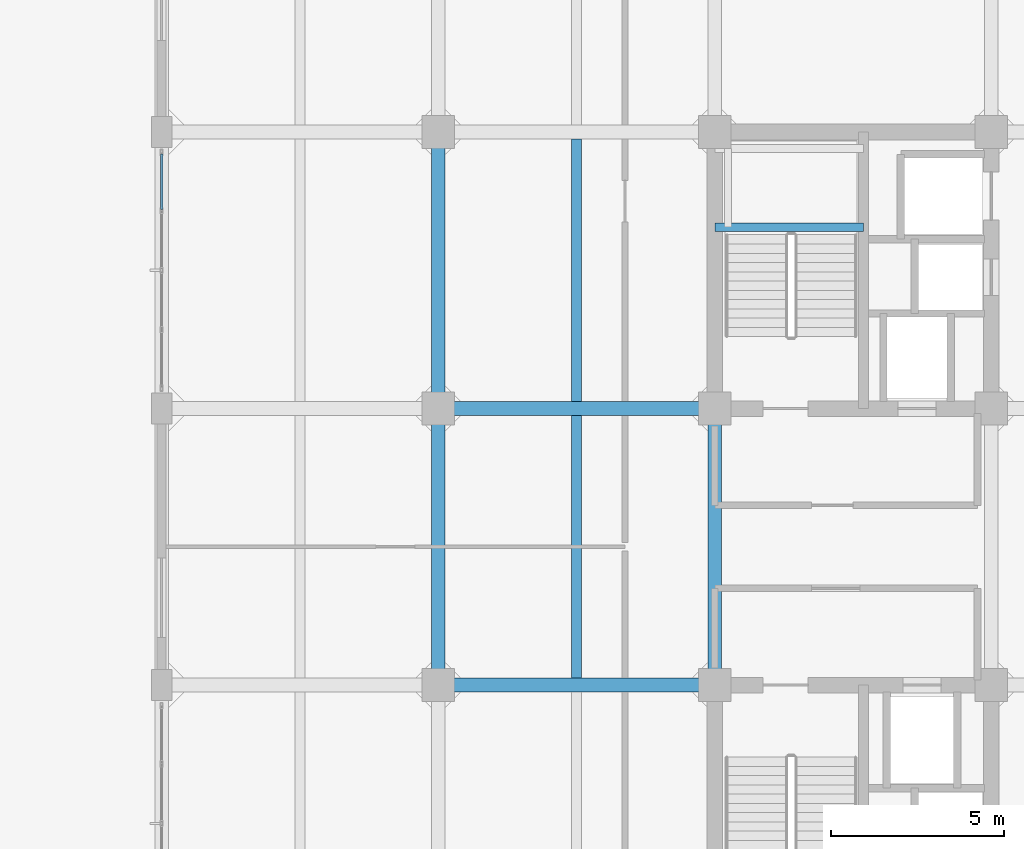
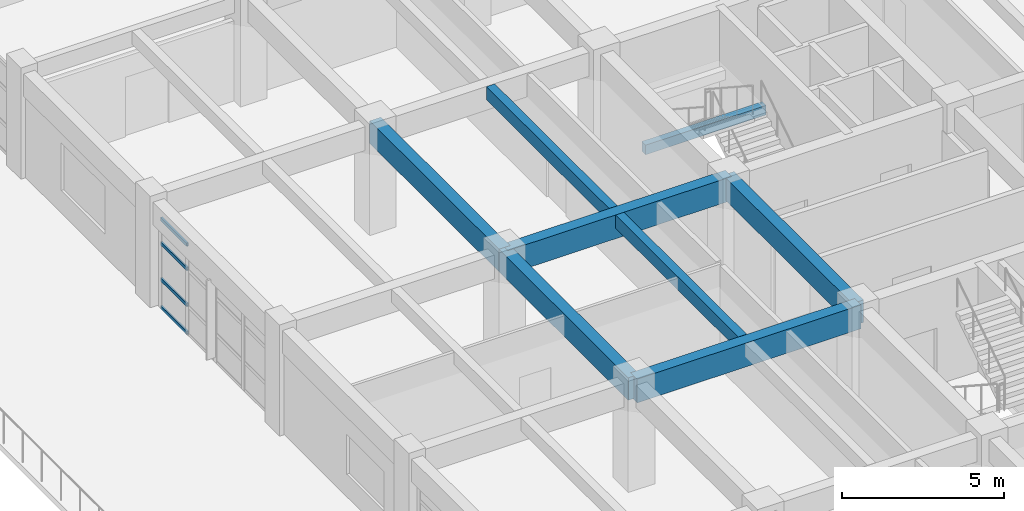
# One storey, part 8 of 35: 8 beams, 4 members, 1 element without a shape of its own.
"""IFC4 building model written with IfcOpenShell, lengths in metres."""

from ifc_helpers import new_model, si_unit, direction, frame, origin, origin_2d, place, context, subcontext, project, spatial, rectangle, hollow_rectangle, extrude, material, layer, layer_set, material_profile, profile_set, type_object, element, aggregate, save


model = new_model("IFC4")

# Units and contexts
model_context = context("Model", 3, precision=1e-05, world=origin(), true_north=direction((0.0, 1.0)))
body_context = subcontext(model_context, "Body", "Model", "MODEL_VIEW")
ifc_project = project(units=[si_unit("LENGTHUNIT", "METRE"), si_unit("AREAUNIT", "SQUARE_METRE"), si_unit("VOLUMEUNIT", "CUBIC_METRE"), si_unit("PLANEANGLEUNIT", "RADIAN"), si_unit("MASSUNIT", "GRAM", prefix="KILO")], contexts=[model_context])

# Site, building, storey
site_placement = place(None, origin())
site = spatial("IfcSite", under=ifc_project, at=site_placement, CompositionType="ELEMENT")
building_placement = place(site_placement, origin())
building = spatial("IfcBuilding", under=site, at=building_placement, Name="Canggui Botanical Conservatory", CompositionType="ELEMENT")
storey_placement = place(building_placement, frame((0.0, 0.0, 15.0)))
storey = spatial("IfcBuildingStorey", under=building, at=storey_placement, Name="L04", CompositionType="ELEMENT", Elevation=15.0)

# Beams
ifc_material_1 = material(Name="Concrete C35", Category="concrete")
ifc_material_profile_1 = material_profile(ifc_material_1, rectangle(XDim=0.300048828125, YDim=0.5, at=origin_2d()), Name="RB 300x500")
ifc_profile_set_1 = profile_set([ifc_material_profile_1], Name="Concrete C35")
beam_type_1 = type_object("IfcBeamType", Name="BM-JST02", PredefinedType="JOIST", material=ifc_profile_set_1)
for number, where, z_axis, x_axis, name in (
    (1, (150.0, 50.205078125, 3.699951171875), (0.0, 1.0, 0.0), (-1.0, 0.0, 0.0), "Secondary Floor Joist L04-2-4"),
    (2, (150.0, 58.205078125, 3.699951171875), (0.0, 1.0, 0.0), (-1.0, 0.0, 0.0), "Secondary Floor Joist L04-2-5"),
):
    element("IfcBeam", number, at=place(storey_placement, frame(where, z_axis=z_axis, x_axis=x_axis)), inside=storey, type_object=beam_type_1, Name=name, PredefinedType="JOIST", context=body_context, shape_type="SweptSolid", body=[
        extrude(rectangle(XDim=0.300048828125, YDim=0.5, at=origin_2d()), origin(), (0.0, 0.0, 1.0), 7.58984375),
    ])
ifc_material_profile_2 = material_profile(ifc_material_1, rectangle(XDim=0.39990234375, YDim=0.89990234375, at=origin_2d()), Name="RB 400x900")
ifc_profile_set_2 = profile_set([ifc_material_profile_2], Name="Concrete C35")
beam_type_2 = type_object("IfcBeamType", Name="BM-KL07", PredefinedType="BEAM", material=ifc_profile_set_2)
for number, where, z_axis, x_axis, name in (
    (3, (146.0, 50.0, 3.5), (1.0, 0.0, 0.0), (0.0, 1.0, 0.0), "Frame Girder L04 Y50-2"),
    (4, (146.0, 58.0, 3.5), (1.0, 0.0, 0.0), (0.0, 1.0, 0.0), "Frame Girder L04 Y58-2"),
):
    element("IfcBeam", number, at=place(storey_placement, frame(where, z_axis=z_axis, x_axis=x_axis)), inside=storey, type_object=beam_type_2, Name=name, PredefinedType="BEAM", context=body_context, shape_type="SweptSolid", body=[
        extrude(rectangle(XDim=0.39990234375, YDim=0.89990234375, at=origin_2d()), origin(), (0.0, 0.0, 1.0), 8.0),
    ])
ifc_material_profile_3 = material_profile(ifc_material_1, rectangle(XDim=0.39990234375, YDim=0.85009765625, at=origin_2d()), Name="RB 400x850")
ifc_profile_set_3 = profile_set([ifc_material_profile_3], Name="Concrete C35")
beam_type_3 = type_object("IfcBeamType", Name="BM-KL08", PredefinedType="BEAM", material=ifc_profile_set_3)
for number, where, z_axis, x_axis, name in (
    (5, (146.0, 50.0, 3.52490234375), (0.0, 1.0, 0.0), (-1.0, 0.0, 0.0), "Frame Girder L04 X146-4"),
    (6, (146.0, 58.0, 3.52490234375), (0.0, 1.0, 0.0), (-1.0, 0.0, 0.0), "Frame Girder L04 X146-5"),
    (7, (154.0, 50.0, 3.52490234375), (0.0, 1.0, 0.0), (-1.0, 0.0, 0.0), "Frame Girder L04 X154-4"),
):
    element("IfcBeam", number, at=place(storey_placement, frame(where, z_axis=z_axis, x_axis=x_axis)), inside=storey, type_object=beam_type_3, Name=name, PredefinedType="BEAM", context=body_context, shape_type="SweptSolid", body=[
        extrude(rectangle(XDim=0.39990234375, YDim=0.85009765625, at=origin_2d()), origin(), (0.0, 0.0, 1.0), 8.0),
    ])
ifc_material_profile_4 = material_profile(ifc_material_1, rectangle(XDim=0.239990234375, YDim=0.360107421875, at=origin_2d()), Name="RB 240x360")
ifc_profile_set_4 = profile_set([ifc_material_profile_4], Name="Concrete C35")
beam_type_4 = type_object("IfcBeamType", Name="BM-LIN01", PredefinedType="LINTEL", material=ifc_profile_set_4)
beam_placement = place(storey_placement, frame((154.0, 63.24755859375, 1.719970703125), z_axis=(1.0, 0.0, 0.0), x_axis=(0.0, 1.0, 0.0)))
element("IfcBeam", 8, at=beam_placement, inside=storey, type_object=beam_type_4, Name="ST-T2 Half-Landing Ledger Beam L04-1.1", PredefinedType="LINTEL", context=body_context, shape_type="SweptSolid", body=[
    extrude(rectangle(XDim=0.239990234375, YDim=0.360107421875, at=origin_2d()), origin(), (0.0, 0.0, 1.0), 4.300048828125),
])

# Curtain wall, members
ifc_material_2 = material(Name="Thermally Broken Aluminium", Category="aluminium")
ifc_layer = layer(ifc_material_2, 0.179931640625, Name="Thermally Broken Aluminium", Category="aluminium")
ifc_layer_set = layer_set([ifc_layer], Name="Thermally Broken Aluminium")
curtain_wall_type = type_object("IfcCurtainWallType", Name="CW-UNIT-A", PredefinedType="USERDEFINED", material=ifc_layer_set)
curtain_wall_placement = place(storey_placement, origin())
curtain_wall = element("IfcCurtainWall", 9, at=curtain_wall_placement, inside=storey, type_object=curtain_wall_type, Name="Facade Curtain Wall CW-TWR-L04-10", ObjectType="UNITISED CURTAIN WALL", PredefinedType="USERDEFINED")
ifc_material_profile_5 = material_profile(ifc_material_2, hollow_rectangle(XDim=0.06494140625, YDim=0.1298828125, WallThickness=0.00341796875, at=origin_2d()), Name="CWT 65x130x3.5")
ifc_profile_set_5 = profile_set([ifc_material_profile_5], Name="Thermally Broken Aluminium")
member_type = type_object("IfcMemberType", Name="CWT-01", PredefinedType="USERDEFINED", material=ifc_profile_set_5)
member_1_placement = place(storey_placement, frame((138.0, 63.7548828125, 0.032470703125), z_axis=(0.0, 1.0, 0.0), x_axis=(-1.0, 0.0, 0.0)))
member_1 = element("IfcMember", 10, at=member_1_placement, type_object=member_type, Name="CW-01 transom 4.1", ObjectType="TRANSOM", PredefinedType="USERDEFINED", context=body_context, shape_type="SweptSolid", body=[
    extrude(hollow_rectangle(XDim=0.06494140625, YDim=0.1298828125, WallThickness=0.00341796875, at=origin_2d()), origin(), (0.0, 0.0, 1.0), 1.615234375),
])
member_2_placement = place(storey_placement, frame((138.0, 63.7548828125, 1.087890625), z_axis=(0.0, 1.0, 0.0), x_axis=(-1.0, 0.0, 0.0)))
member_2 = element("IfcMember", 11, at=member_2_placement, type_object=member_type, Name="CW-01 transom 4.2", ObjectType="TRANSOM", PredefinedType="USERDEFINED", context=body_context, shape_type="SweptSolid", body=[
    extrude(hollow_rectangle(XDim=0.06494140625, YDim=0.1298828125, WallThickness=0.00341796875, at=origin_2d()), origin(), (0.0, 0.0, 1.0), 1.615234375),
])
member_3_placement = place(storey_placement, frame((138.0, 63.7548828125, 2.447998046875), z_axis=(0.0, 1.0, 0.0), x_axis=(-1.0, 0.0, 0.0)))
member_3 = element("IfcMember", 12, at=member_3_placement, type_object=member_type, Name="CW-01 transom 4.3", ObjectType="TRANSOM", PredefinedType="USERDEFINED", context=body_context, shape_type="SweptSolid", body=[
    extrude(hollow_rectangle(XDim=0.06494140625, YDim=0.1298828125, WallThickness=0.00341796875, at=origin_2d()), origin(), (0.0, 0.0, 1.0), 1.615234375),
])
member_4_placement = place(storey_placement, frame((138.0, 63.7548828125, 3.367431640625), z_axis=(0.0, 1.0, 0.0), x_axis=(-1.0, 0.0, 0.0)))
member_4 = element("IfcMember", 13, at=member_4_placement, type_object=member_type, Name="CW-01 transom 4.4", ObjectType="TRANSOM", PredefinedType="USERDEFINED", context=body_context, shape_type="SweptSolid", body=[
    extrude(hollow_rectangle(XDim=0.06494140625, YDim=0.1298828125, WallThickness=0.00341796875, at=origin_2d()), origin(), (0.0, 0.0, 1.0), 1.615234375),
])
aggregate(curtain_wall, [member_1, member_2, member_3, member_4])

save(model, "model.ifc")
